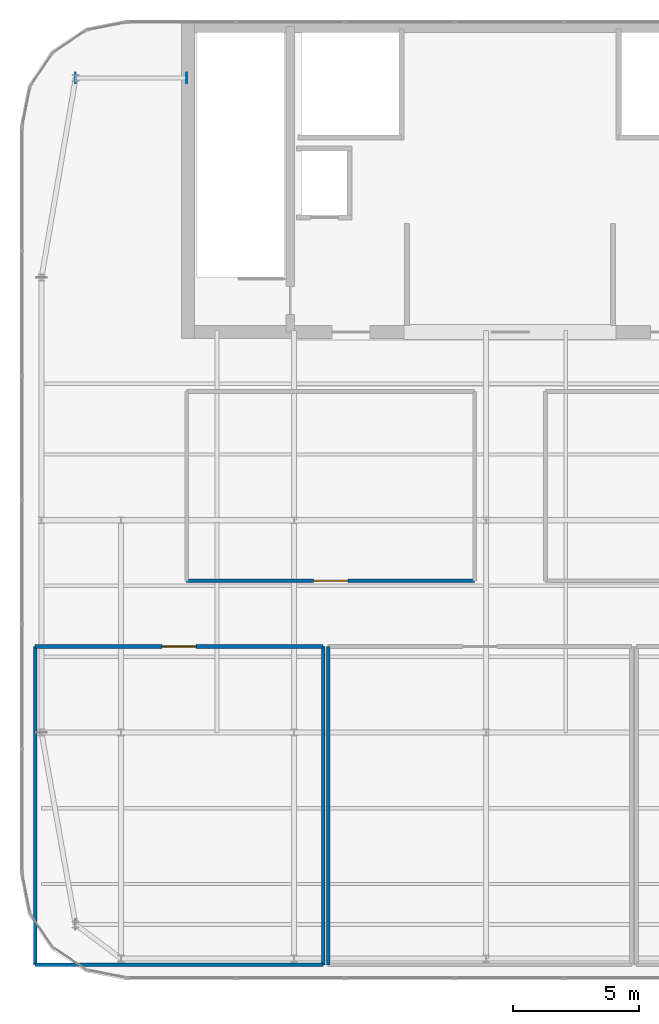
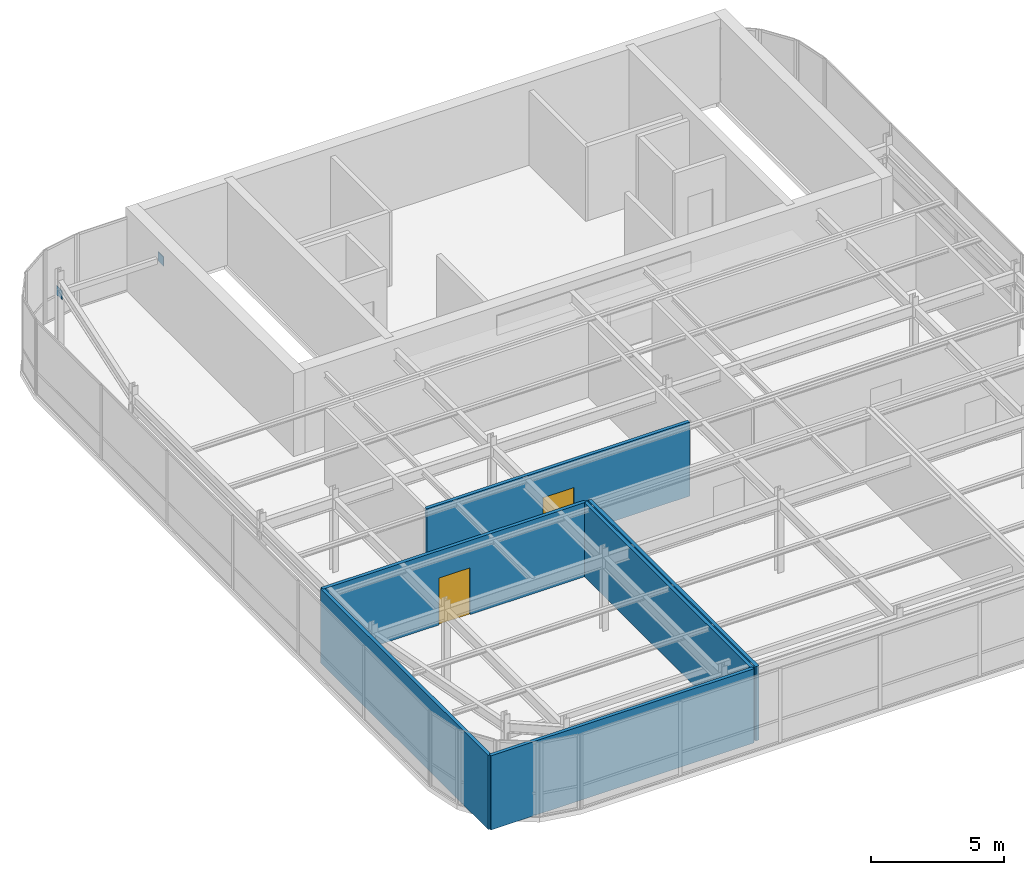
# One storey, part 33 of 35: 6 walls, 2 doors, 2 plates, 2 openings.
"""IFC4 building model written with IfcOpenShell, lengths in metres."""

from ifc_helpers import new_model, si_unit, direction, frame, frame_2d, origin, origin_2d, place, context, subcontext, project, spatial, rectangle, extrude, source, transform, mapped, material, layer, layer_set, type_object, type_shapes, element, fill, save


model = new_model("IFC4")

# Units and contexts
model_context = context("Model", 3, precision=1e-05, world=origin(), true_north=direction((0.0, 1.0)))
body_context = subcontext(model_context, "Body", "Model", "MODEL_VIEW")
ifc_project = project(units=[si_unit("LENGTHUNIT", "METRE"), si_unit("AREAUNIT", "SQUARE_METRE"), si_unit("VOLUMEUNIT", "CUBIC_METRE"), si_unit("PLANEANGLEUNIT", "RADIAN"), si_unit("MASSUNIT", "GRAM", prefix="KILO")], contexts=[model_context])

# Site, building, storey
site_placement = place(None, origin())
site = spatial("IfcSite", under=ifc_project, at=site_placement, CompositionType="ELEMENT")
building_placement = place(site_placement, origin())
building = spatial("IfcBuilding", under=site, at=building_placement, Name="Tolvann Quenvar Hotel", CompositionType="ELEMENT")
storey_placement = place(building_placement, frame((0.0, 0.0, 309.949951171875)))
storey = spatial("IfcBuildingStorey", under=building, at=storey_placement, Name="L82", CompositionType="ELEMENT", Elevation=309.949951171875)

# Plates
ifc_material_1 = material(Name="Steel Grade 350", Category="steel")
ifc_layer_1 = layer(ifc_material_1, 0.02490234375)
ifc_layer_set_1 = layer_set([ifc_layer_1], Name="Steel Grade 350")
plate_type = type_object("IfcPlateType", Name="PLT_ENDCAP_25", PredefinedType="SHEET", material=ifc_layer_set_1)
shared_shape_1 = source(origin(), body_context, "Body", "SweptSolid", [
    extrude(rectangle(XDim=0.02490234375, YDim=0.419921875, at=origin_2d()), origin(), (0.0, 0.0, 1.0), 0.419921875),
])
type_shapes(plate_type, [shared_shape_1])
for number, where, z_axis, x_axis, name in (
    (1, (5.800048828125, 41.89990234375, 2.5400390625), (0.0, 0.0, 1.0), (1.0, 0.0, 0.0), "Crown Ring End Cap Plate EC-1 (L82-4-1)"),
    (2, (10.199951171875, 41.89990234375, 2.5400390625), (0.0, 0.0, 1.0), (1.0, 0.0, 0.0), "Crown Ring End Cap Plate EC-1 (L82-4-2)"),
):
    element("IfcPlate", number, at=place(storey_placement, frame(where, z_axis=z_axis, x_axis=x_axis)), inside=storey, type_object=plate_type, Name=name, PredefinedType="SHEET", context=body_context, shape_type="MappedRepresentation", body=[
        mapped(shared_shape_1, transform((0.0, 0.0, 0.0), x_axis=(1.0, 0.0, 0.0), y_axis=(0.0, 1.0, 0.0), z_axis=(0.0, 0.0, 1.0), scale=1.0)),
    ])

# Wall
ifc_material_2 = material(Name="Acoustic twin-stud fire-rated gypsum plasterboard partition")
ifc_layer_2 = layer(ifc_material_2, 0.14990234375)
ifc_layer_set_2 = layer_set([ifc_layer_2], Name="Acoustic twin-stud fire-rated gypsum plasterboard partition")
wall_type = type_object("IfcWallType", Name="WALL_PART_SUITE_150", PredefinedType="PARTITIONING", material=ifc_layer_set_2)
wall_1_placement = place(storey_placement, frame((4.199951171875, 6.800048828125, 0.0), z_axis=(0.0, 0.0, 1.0), x_axis=(1.0, 0.0, 0.0)))
element("IfcWall", 3, at=wall_1_placement, inside=storey, type_object=wall_type, Name="Interior Partition PT-SPC-L82-AHUC-S", PredefinedType="PARTITIONING", context=body_context, shape_type="SweptSolid", body=[
    extrude(rectangle(XDim=11.400146484375, YDim=0.14990234375, at=frame_2d((5.7001953125, 0.0))), origin(), (0.0, 0.0, 1.0), 3.400146484375),
])

# Wall, opening, door
wall_2_placement = place(storey_placement, frame((4.199951171875, 19.39990234375, 0.0), z_axis=(0.0, 0.0, 1.0), x_axis=(1.0, 0.0, 0.0)))
wall_2 = element("IfcWall", 4, at=wall_2_placement, inside=storey, type_object=wall_type, Name="Interior Partition PT-SPC-L82-AHUC-N", PredefinedType="PARTITIONING", context=body_context, shape_type="SweptSolid", body=[
    extrude(rectangle(XDim=11.400146484375, YDim=0.14990234375, at=frame_2d((5.7001953125, 0.0))), origin(), (0.0, 0.0, 1.0), 3.400146484375),
])
opening_1_placement = place(wall_2_placement, frame((5.02490234375, 0.0, 0.0)))
opening_1 = element("IfcOpeningElement", 5, at=opening_1_placement, cuts=wall_2, Name="Opening PD-01", PredefinedType="OPENING", context=body_context, shape_type="SweptSolid", body=[
    extrude(rectangle(XDim=1.35009765625, YDim=2.14990234375, at=frame_2d((0.675048828125, 1.074951171875))), frame((0.0, 0.0849609375, 0.0), z_axis=(0.0, -1.0, 0.0), x_axis=(1.0, 0.0, 0.0)), (0.0, 0.0, 1.0), 0.169921875),
])
ifc_material_3 = material(Name="Pressed galvanised steel fire-rated door set", Category="steel")
door_type = type_object("IfcDoorType", Name="DOOR_PLANT_1350", OperationType="NOTDEFINED", PredefinedType="DOOR", material=ifc_material_3)
shared_shape_2 = source(origin(), body_context, "Body", "SweptSolid", [
    extrude(rectangle(XDim=1.35009765625, YDim=2.14990234375, at=frame_2d((0.675048828125, 1.074951171875))), frame((0.0, 0.02490234375, 0.0), z_axis=(0.0, -1.0, 0.0), x_axis=(1.0, 0.0, 0.0)), (0.0, 0.0, 1.0), 0.050048828125),
])
type_shapes(door_type, [shared_shape_2])
door_1_placement = place(opening_1_placement, origin())
door_1 = element("IfcDoor", 6, at=door_1_placement, inside=storey, type_object=door_type, Name="Interior Door DOOR-SPC-L82-AHUC", OperationType="DOUBLE_DOOR_SINGLE_SWING", OverallHeight=2.14990234375, OverallWidth=1.35009765625, PredefinedType="DOOR", context=body_context, shape_type="MappedRepresentation", body=[
    mapped(shared_shape_2, transform((0.0, 0.0, 0.0), x_axis=(1.0, 0.0, 0.0), y_axis=(0.0, 1.0, 0.0), z_axis=(0.0, 0.0, 1.0), scale=1.0)),
])
fill(opening_1, door_1)

# Walls
for number, where, z_axis, x_axis, name in (
    (7, (4.199951171875, 6.800048828125, 0.0), (0.0, 0.0, 1.0), (0.0, 1.0, 0.0), "Interior Partition PT-SPC-L82-AHUC-W"),
    (8, (15.60009765625, 6.800048828125, 0.0), (0.0, 0.0, 1.0), (0.0, 1.0, 0.0), "Interior Partition PT-SPC-L82-AHUC-E"),
    (9, (15.800048828125, 6.800048828125, 0.0), (0.0, 0.0, 1.0), (0.0, 1.0, 0.0), "Interior Partition PT-SPC-L82-HRC-W"),
):
    element("IfcWall", number, at=place(storey_placement, frame(where, z_axis=z_axis, x_axis=x_axis)), inside=storey, type_object=wall_type, Name=name, PredefinedType="PARTITIONING", context=body_context, shape_type="SweptSolid", body=[
        extrude(rectangle(XDim=12.599853515625, YDim=0.14990234375, at=frame_2d((6.2998046875, 0.0))), origin(), (0.0, 0.0, 1.0), 3.400146484375),
    ])

# Wall, opening, door
wall_3_placement = place(storey_placement, frame((10.199951171875, 22.0, 0.0), z_axis=(0.0, 0.0, 1.0), x_axis=(1.0, 0.0, 0.0)))
wall_3 = element("IfcWall", 10, at=wall_3_placement, inside=storey, type_object=wall_type, Name="Interior Partition PT-SPC-L82-MNT-S", PredefinedType="PARTITIONING", context=body_context, shape_type="SweptSolid", body=[
    extrude(rectangle(XDim=11.400146484375, YDim=0.14990234375, at=frame_2d((5.7001953125, 0.0))), origin(), (0.0, 0.0, 1.0), 3.400146484375),
])
opening_2_placement = place(wall_3_placement, frame((5.02490234375, 0.0, 0.0)))
opening_2 = element("IfcOpeningElement", 11, at=opening_2_placement, cuts=wall_3, Name="Opening PD-01", PredefinedType="OPENING", context=body_context, shape_type="SweptSolid", body=[
    extrude(rectangle(XDim=1.35009765625, YDim=2.14990234375, at=frame_2d((0.675048828125, 1.074951171875))), frame((0.0, 0.0849609375, 0.0), z_axis=(0.0, -1.0, 0.0), x_axis=(1.0, 0.0, 0.0)), (0.0, 0.0, 1.0), 0.169921875),
])
door_2_placement = place(opening_2_placement, origin())
door_2 = element("IfcDoor", 12, at=door_2_placement, inside=storey, type_object=door_type, Name="Interior Door DOOR-SPC-L82-MNT", OperationType="DOUBLE_DOOR_SINGLE_SWING", OverallHeight=2.14990234375, OverallWidth=1.35009765625, PredefinedType="DOOR", context=body_context, shape_type="MappedRepresentation", body=[
    mapped(shared_shape_2, transform((0.0, 0.0, 0.0), x_axis=(1.0, 0.0, 0.0), y_axis=(0.0, 1.0, 0.0), z_axis=(0.0, 0.0, 1.0), scale=1.0)),
])
fill(opening_2, door_2)

save(model, "model.ifc")
